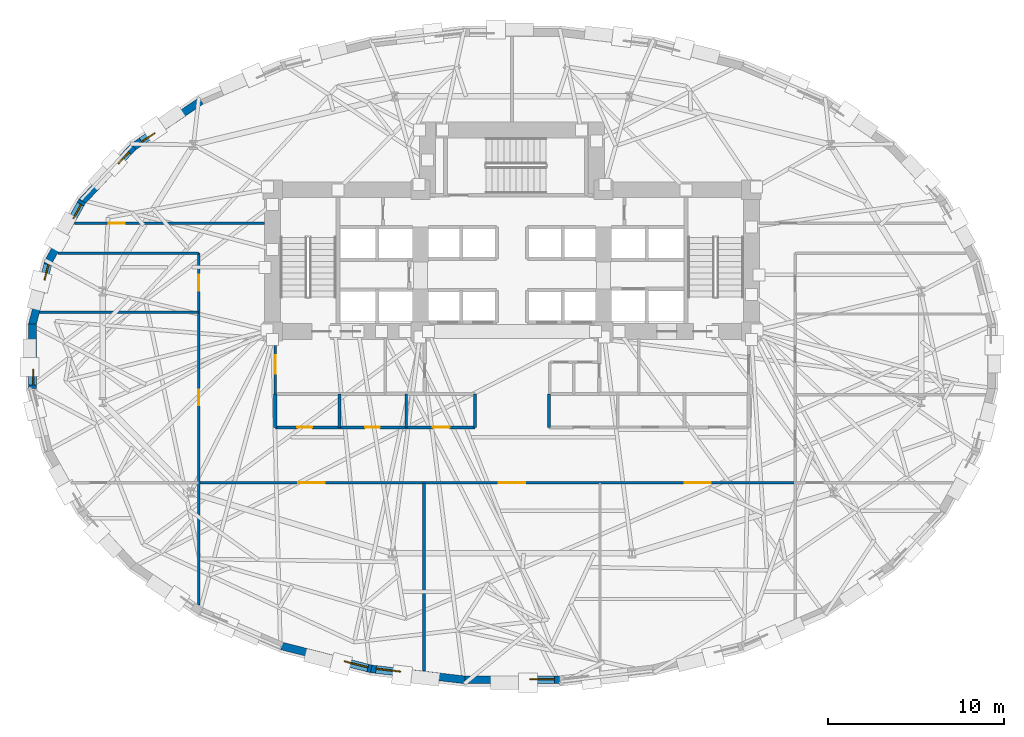
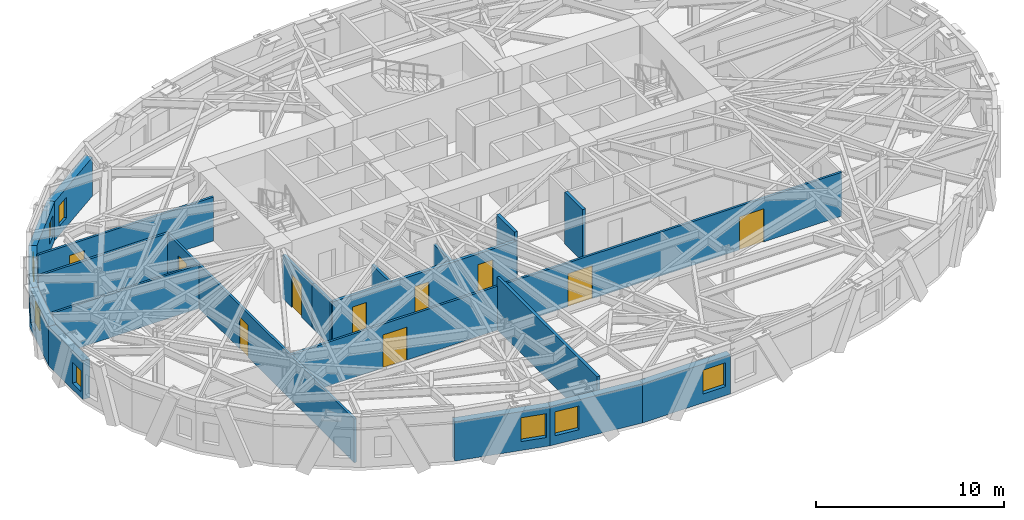
# One storey, part 6 of 14: 21 walls, 10 doors, 8 windows, 18 openings.
"""IFC4 building model written with IfcOpenShell, lengths in metres."""

from ifc_helpers import new_model, si_unit, direction, frame, frame_2d, origin, place, context, subcontext, project, spatial, rectangle, extrude, material, layer, layer_set, type_object, element, fill, save


model = new_model("IFC4")

# Units and contexts
model_context = context("Model", 3, precision=1e-05, world=origin(), true_north=direction((0.0, 1.0)))
body_context = subcontext(model_context, "Body", "Model", "MODEL_VIEW")
ifc_project = project(units=[si_unit("LENGTHUNIT", "METRE"), si_unit("AREAUNIT", "SQUARE_METRE"), si_unit("VOLUMEUNIT", "CUBIC_METRE"), si_unit("PLANEANGLEUNIT", "RADIAN"), si_unit("MASSUNIT", "GRAM", prefix="KILO")], contexts=[model_context])

# Site, building, storey
site_placement = place(None, origin())
site = spatial("IfcSite", under=ifc_project, at=site_placement, CompositionType="ELEMENT")
building_placement = place(site_placement, origin())
building = spatial("IfcBuilding", under=site, at=building_placement, Name="Keldmark Tower", CompositionType="ELEMENT")
storey_placement = place(building_placement, frame((0.0, 0.0, 41.39990234375)))
storey = spatial("IfcBuildingStorey", under=building, at=storey_placement, Name="L10", CompositionType="ELEMENT", Elevation=41.39990234375)

# Wall, openings, doors
ifc_material_1 = material(Name="Acoustic Double-Layer Gypsum Corridor Partition", Category="gypsum")
ifc_layer_1 = layer(ifc_material_1, 0.139892578125)
ifc_layer_set_1 = layer_set([ifc_layer_1], Name="Acoustic Double-Layer Gypsum Corridor Partition")
wall_type_1 = type_object("IfcWallType", Name="Acoustic Corridor Partition 140 mm", PredefinedType="PARTITIONING", material=ifc_layer_set_1)
wall_1_placement = place(storey_placement, frame((-17.800048828125, -7.199951171875, 0.0), z_axis=(0.0, 0.0, 1.0), x_axis=(1.0, 0.0, 0.0)))
wall_1 = element("IfcWall", 1, at=wall_1_placement, inside=storey, type_object=wall_type_1, Name="L10 Acoustic Corridor Partition 140 mm COR-S", PredefinedType="PARTITIONING", context=body_context, shape_type="SweptSolid", body=[
    extrude(rectangle(XDim=33.900146484375, YDim=0.139892578125, at=frame_2d((16.9501953125, 0.0))), origin(), (0.0, 0.0, 1.0), 2.85302734375),
])
opening_1_placement = place(wall_1_placement, frame((5.64990234375, 0.0, 0.0)))
opening_1 = element("IfcOpeningElement", 2, at=opening_1_placement, cuts=wall_1, Name="Opening D-CF150", PredefinedType="OPENING", context=body_context, shape_type="SweptSolid", body=[
    extrude(rectangle(XDim=1.5, YDim=2.14990234375, at=frame_2d((0.75, 1.074951171875))), frame((0.0, 0.079833984375, 0.0), z_axis=(0.0, -1.0, 0.0), x_axis=(1.0, 0.0, 0.0)), (0.0, 0.0, 1.0), 0.159912109375),
])
opening_2_placement = place(wall_1_placement, frame((17.050048828125, 0.0, 0.0)))
opening_2 = element("IfcOpeningElement", 3, at=opening_2_placement, cuts=wall_1, Name="Opening D-CF150", PredefinedType="OPENING", context=body_context, shape_type="SweptSolid", body=[
    extrude(rectangle(XDim=1.5, YDim=2.14990234375, at=frame_2d((0.75, 1.074951171875))), frame((0.0, 0.079833984375, 0.0), z_axis=(0.0, -1.0, 0.0), x_axis=(1.0, 0.0, 0.0)), (0.0, 0.0, 1.0), 0.159912109375),
])
opening_3_placement = place(wall_1_placement, frame((27.60009765625, 0.0, 0.0)))
opening_3 = element("IfcOpeningElement", 4, at=opening_3_placement, cuts=wall_1, Name="Opening D-CF150", PredefinedType="OPENING", context=body_context, shape_type="SweptSolid", body=[
    extrude(rectangle(XDim=1.5, YDim=2.14990234375, at=frame_2d((0.75, 1.074951171875))), frame((0.0, 0.079833984375, 0.0), z_axis=(0.0, -1.0, 0.0), x_axis=(1.0, 0.0, 0.0)), (0.0, 0.0, 1.0), 0.159912109375),
])
ifc_material_2 = material(Name="Acoustic Timber and Tempered Glass Double Door", Category="wood")
door_type_1 = type_object("IfcDoorType", Name="Conference Double Door 1500x2150", OperationType="DOUBLE_DOOR_SINGLE_SWING", PredefinedType="DOOR", material=ifc_material_2)
door_1_placement = place(opening_1_placement, origin())
door_1 = element("IfcDoor", 5, at=door_1_placement, inside=storey, type_object=door_type_1, Name="L10 Conference Double Door 1500x2150 D-SR-1-L10", OperationType="DOUBLE_DOOR_SINGLE_SWING", OverallHeight=2.14990234375, OverallWidth=1.5, PredefinedType="DOOR", context=body_context, shape_type="SweptSolid", body=[
    extrude(rectangle(XDim=1.5, YDim=2.14990234375, at=frame_2d((0.75, 1.074951171875))), frame((0.0, 0.02490234375, 0.0), z_axis=(0.0, -1.0, 0.0), x_axis=(1.0, 0.0, 0.0)), (0.0, 0.0, 1.0), 0.050048828125),
])
fill(opening_1, door_1)
door_2_placement = place(opening_2_placement, origin())
door_2 = element("IfcDoor", 6, at=door_2_placement, inside=storey, type_object=door_type_1, Name="L10 Conference Double Door 1500x2150 D-SR-2-L10", OperationType="DOUBLE_DOOR_SINGLE_SWING", OverallHeight=2.14990234375, OverallWidth=1.5, PredefinedType="DOOR", context=body_context, shape_type="SweptSolid", body=[
    extrude(rectangle(XDim=1.5, YDim=2.14990234375, at=frame_2d((0.75, 1.074951171875))), frame((0.0, 0.02490234375, 0.0), z_axis=(0.0, -1.0, 0.0), x_axis=(1.0, 0.0, 0.0)), (0.0, 0.0, 1.0), 0.050048828125),
])
fill(opening_2, door_2)
door_3_placement = place(opening_3_placement, origin())
door_3 = element("IfcDoor", 7, at=door_3_placement, inside=storey, type_object=door_type_1, Name="L10 Conference Double Door 1500x2150 D-SR-3-L10", OperationType="DOUBLE_DOOR_SINGLE_SWING", OverallHeight=2.14990234375, OverallWidth=1.5, PredefinedType="DOOR", context=body_context, shape_type="SweptSolid", body=[
    extrude(rectangle(XDim=1.5, YDim=2.14990234375, at=frame_2d((0.75, 1.074951171875))), frame((0.0, 0.02490234375, 0.0), z_axis=(0.0, -1.0, 0.0), x_axis=(1.0, 0.0, 0.0)), (0.0, 0.0, 1.0), 0.050048828125),
])
fill(opening_3, door_3)

wall_2_placement = place(storey_placement, frame((-17.800048828125, -14.135498046875, 0.0), z_axis=(0.0, 0.0, 1.0), x_axis=(0.0, 1.0, 0.0)))
wall_2 = element("IfcWall", 8, at=wall_2_placement, inside=storey, type_object=wall_type_1, Name="L10 Acoustic Corridor Partition 140 mm COR-W", PredefinedType="PARTITIONING", context=body_context, shape_type="SweptSolid", body=[
    extrude(rectangle(XDim=19.985595703125, YDim=0.139892578125, at=frame_2d((9.99267578125, 0.0))), origin(), (0.0, 0.0, 1.0), 2.841064453125),
])
opening_4_placement = place(wall_2_placement, frame((11.335693359375, 0.0, 0.0)))
opening_4 = element("IfcOpeningElement", 9, at=opening_4_placement, cuts=wall_2, Name="Opening D-IN090", PredefinedType="OPENING", context=body_context, shape_type="SweptSolid", body=[
    extrude(rectangle(XDim=0.89990234375, YDim=2.10009765625, at=frame_2d((0.449951171875, 1.050048828125))), frame((0.0, 0.079833984375, 0.0), z_axis=(0.0, -1.0, 0.0), x_axis=(1.0, 0.0, 0.0)), (0.0, 0.0, 1.0), 0.159912109375),
])
opening_5_placement = place(wall_2_placement, frame((17.860595703125, 0.0, 0.0)))
opening_5 = element("IfcOpeningElement", 10, at=opening_5_placement, cuts=wall_2, Name="Opening D-IN090", PredefinedType="OPENING", context=body_context, shape_type="SweptSolid", body=[
    extrude(rectangle(XDim=0.89990234375, YDim=2.10009765625, at=frame_2d((0.449951171875, 1.050048828125))), frame((0.0, 0.079833984375, 0.0), z_axis=(0.0, -1.0, 0.0), x_axis=(1.0, 0.0, 0.0)), (0.0, 0.0, 1.0), 0.159912109375),
])
ifc_material_3 = material(Name="Stained American White Oak Veneer", Category="wood")
door_type_2 = type_object("IfcDoorType", Name="Interior Door 900x2100", OperationType="NOTDEFINED", PredefinedType="DOOR", material=ifc_material_3)
door_4_placement = place(opening_4_placement, origin())
door_4 = element("IfcDoor", 11, at=door_4_placement, inside=storey, type_object=door_type_2, Name="L10 Interior Door 900x2100 D-WR-1-L10", OperationType="SINGLE_SWING_LEFT", OverallHeight=2.10009765625, OverallWidth=0.89990234375, PredefinedType="DOOR", context=body_context, shape_type="SweptSolid", body=[
    extrude(rectangle(XDim=0.89990234375, YDim=2.10009765625, at=frame_2d((0.449951171875, 1.050048828125))), frame((0.0, 0.02490234375, 0.0), z_axis=(0.0, -1.0, 0.0), x_axis=(1.0, 0.0, 0.0)), (0.0, 0.0, 1.0), 0.050048828125),
])
fill(opening_4, door_4)
door_5_placement = place(opening_5_placement, origin())
door_5 = element("IfcDoor", 12, at=door_5_placement, inside=storey, type_object=door_type_2, Name="L10 Interior Door 900x2100 D-WR-2-L10", OperationType="SINGLE_SWING_RIGHT", OverallHeight=2.10009765625, OverallWidth=0.89990234375, PredefinedType="DOOR", context=body_context, shape_type="SweptSolid", body=[
    extrude(rectangle(XDim=0.89990234375, YDim=2.10009765625, at=frame_2d((0.449951171875, 1.050048828125))), frame((0.0, 0.02490234375, 0.0), z_axis=(0.0, -1.0, 0.0), x_axis=(1.0, 0.0, 0.0)), (0.0, 0.0, 1.0), 0.050048828125),
])
fill(opening_5, door_5)

# Wall, opening, door
wall_3_placement = place(storey_placement, frame((-24.85595703125, 7.550048828125, 0.0), z_axis=(0.0, 0.0, 1.0), x_axis=(1.0, 0.0, 0.0)))
wall_3 = element("IfcWall", 13, at=wall_3_placement, inside=storey, type_object=wall_type_1, Name="L10 Acoustic Corridor Partition 140 mm COR-WN-CAP", PredefinedType="PARTITIONING", context=body_context, shape_type="SweptSolid", body=[
    extrude(rectangle(XDim=10.805908203125, YDim=0.139892578125, at=frame_2d((5.40283203125, 0.0))), origin(), (0.0, 0.0, 1.0), 2.85302734375),
])
opening_6_placement = place(wall_3_placement, frame((1.939208984375, 0.0, 0.0)))
opening_6 = element("IfcOpeningElement", 14, at=opening_6_placement, cuts=wall_3, Name="Opening D-EX092", PredefinedType="OPENING", context=body_context, shape_type="SweptSolid", body=[
    extrude(rectangle(XDim=0.919921875, YDim=2.14990234375, at=frame_2d((0.4599609375, 1.074951171875))), frame((0.0, 0.079833984375, 0.0), z_axis=(0.0, -1.0, 0.0), x_axis=(1.0, 0.0, 0.0)), (0.0, 0.0, 1.0), 0.159912109375),
])
ifc_material_4 = material(Name="Flush American Ash Executive Office Door", Category="wood")
door_type_3 = type_object("IfcDoorType", Name="Executive Office Door 920x2150", OperationType="NOTDEFINED", PredefinedType="DOOR", material=ifc_material_4)
door_6_placement = place(opening_6_placement, origin())
door_6 = element("IfcDoor", 15, at=door_6_placement, inside=storey, type_object=door_type_3, Name="L10 Executive Office Door 920x2150 D-NRNW-L10", OperationType="SINGLE_SWING_LEFT", OverallHeight=2.14990234375, OverallWidth=0.919921875, PredefinedType="DOOR", context=body_context, shape_type="SweptSolid", body=[
    extrude(rectangle(XDim=0.919921875, YDim=2.14990234375, at=frame_2d((0.4599609375, 1.074951171875))), frame((0.0, 0.02490234375, 0.0), z_axis=(0.0, -1.0, 0.0), x_axis=(1.0, 0.0, 0.0)), (0.0, 0.0, 1.0), 0.050048828125),
])
fill(opening_6, door_6)

# Walls
wall_4_placement = place(storey_placement, frame((-25.8046875, 5.85009765625, 0.0), z_axis=(0.0, 0.0, 1.0), x_axis=(1.0, 0.0, 0.0)))
element("IfcWall", 16, at=wall_4_placement, inside=storey, type_object=wall_type_1, Name="L10 Acoustic Corridor Partition 140 mm COR-WA-S", PredefinedType="PARTITIONING", context=body_context, shape_type="SweptSolid", body=[
    extrude(rectangle(XDim=8.004638671875, YDim=0.139892578125, at=frame_2d((4.00244140625, 0.0))), origin(), (0.0, 0.0, 1.0), 2.85302734375),
])
ifc_material_5 = material(Name="STC-58 Insulated Tenant Demising Gypsum Partition", Category="gypsum")
ifc_layer_2 = layer(ifc_material_5, 0.175048828125)
ifc_layer_set_2 = layer_set([ifc_layer_2], Name="STC-58 Insulated Tenant Demising Gypsum Partition")
wall_type_2 = type_object("IfcWallType", Name="Demising Suite Partition 175 mm", PredefinedType="PARTITIONING", material=ifc_layer_set_2)
wall_5_placement = place(storey_placement, frame((-5.0, -17.890380859375, 0.0), z_axis=(0.0, 0.0, 1.0), x_axis=(0.0, 1.0, 0.0)))
element("IfcWall", 17, at=wall_5_placement, inside=storey, type_object=wall_type_2, Name="L10 Demising Suite Partition 175 mm S-DIV-1", PredefinedType="PARTITIONING", context=body_context, shape_type="SweptSolid", body=[
    extrude(rectangle(XDim=10.6904296875, YDim=0.175048828125, at=frame_2d((5.34521484375, 0.0))), origin(), (0.0, 0.0, 1.0), 3.400146484375),
])

# Wall, openings, doors
ifc_material_6 = material(Name="Heavy Acoustic Plumbing Chase Gypsum Assembly", Category="gypsum")
ifc_layer_3 = layer(ifc_material_6, 0.18994140625)
ifc_layer_set_3 = layer_set([ifc_layer_3], Name="Heavy Acoustic Plumbing Chase Gypsum Assembly")
wall_type_3 = type_object("IfcWallType", Name="Heavy Wet Wall 190 mm", PredefinedType="PLUMBINGWALL", material=ifc_layer_set_3)
wall_6_placement = place(storey_placement, frame((-13.449951171875, -4.050048828125, 0.0), z_axis=(0.0, 0.0, 1.0), x_axis=(1.0, 0.0, 0.0)))
wall_6 = element("IfcWall", 18, at=wall_6_placement, inside=storey, type_object=wall_type_3, Name="L10 Heavy Wet Wall 190 mm SPK-W-S", PredefinedType="PLUMBINGWALL", context=body_context, shape_type="SweptSolid", body=[
    extrude(rectangle(XDim=11.349853515625, YDim=0.18994140625, at=frame_2d((5.6748046875, 0.0))), origin(), (0.0, 0.0, 1.0), 2.85302734375),
])
opening_7_placement = place(wall_6_placement, frame((1.25, 0.0, 0.0)))
opening_7 = element("IfcOpeningElement", 19, at=opening_7_placement, cuts=wall_6, Name="Opening D-WC085", PredefinedType="OPENING", context=body_context, shape_type="SweptSolid", body=[
    extrude(rectangle(XDim=0.85009765625, YDim=2.10009765625, at=frame_2d((0.425048828125, 1.050048828125))), frame((0.0, 0.10498046875, 0.0), z_axis=(0.0, -1.0, 0.0), x_axis=(1.0, 0.0, 0.0)), (0.0, 0.0, 1.0), 0.2099609375),
])
opening_8_placement = place(wall_6_placement, frame((5.10009765625, 0.0, 0.0)))
opening_8 = element("IfcOpeningElement", 20, at=opening_8_placement, cuts=wall_6, Name="Opening D-WC085", PredefinedType="OPENING", context=body_context, shape_type="SweptSolid", body=[
    extrude(rectangle(XDim=0.85009765625, YDim=2.10009765625, at=frame_2d((0.425048828125, 1.050048828125))), frame((0.0, 0.10498046875, 0.0), z_axis=(0.0, -1.0, 0.0), x_axis=(1.0, 0.0, 0.0)), (0.0, 0.0, 1.0), 0.2099609375),
])
opening_9_placement = place(wall_6_placement, frame((8.949951171875, 0.0, 0.0)))
opening_9 = element("IfcOpeningElement", 21, at=opening_9_placement, cuts=wall_6, Name="Opening D-AWC95", PredefinedType="OPENING", context=body_context, shape_type="SweptSolid", body=[
    extrude(rectangle(XDim=0.949951171875, YDim=2.14990234375, at=frame_2d((0.47509765625, 1.074951171875))), frame((0.0, 0.10498046875, 0.0), z_axis=(0.0, -1.0, 0.0), x_axis=(1.0, 0.0, 0.0)), (0.0, 0.0, 1.0), 0.2099609375),
])
ifc_material_7 = material(Name="Painted Solid-Core Architectural Wood", Category="wood")
door_type_4 = type_object("IfcDoorType", Name="Accessible WC Door 950x2150", OperationType="NOTDEFINED", PredefinedType="DOOR", material=ifc_material_7)
door_7_placement = place(opening_9_placement, origin())
door_7 = element("IfcDoor", 22, at=door_7_placement, inside=storey, type_object=door_type_4, Name="L10 Accessible WC Door 950x2150 D-SPKW3-L10", OperationType="SINGLE_SWING_LEFT", OverallHeight=2.14990234375, OverallWidth=0.949951171875, PredefinedType="DOOR", context=body_context, shape_type="SweptSolid", body=[
    extrude(rectangle(XDim=0.949951171875, YDim=2.14990234375, at=frame_2d((0.47509765625, 1.074951171875))), frame((0.0, 0.02490234375, 0.0), z_axis=(0.0, -1.0, 0.0), x_axis=(1.0, 0.0, 0.0)), (0.0, 0.0, 1.0), 0.050048828125),
])
fill(opening_9, door_7)
ifc_material_8 = material(Name="Moisture-Sealed Painted Wood", Category="wood")
door_type_5 = type_object("IfcDoorType", Name="WC Door 850x2100", OperationType="NOTDEFINED", PredefinedType="DOOR", material=ifc_material_8)
door_8_placement = place(opening_7_placement, origin())
door_8 = element("IfcDoor", 23, at=door_8_placement, inside=storey, type_object=door_type_5, Name="L10 WC Door 850x2100 D-SPKW1-L10", OperationType="SINGLE_SWING_LEFT", OverallHeight=2.10009765625, OverallWidth=0.85009765625, PredefinedType="DOOR", context=body_context, shape_type="SweptSolid", body=[
    extrude(rectangle(XDim=0.85009765625, YDim=2.10009765625, at=frame_2d((0.425048828125, 1.050048828125))), frame((0.0, 0.02490234375, 0.0), z_axis=(0.0, -1.0, 0.0), x_axis=(1.0, 0.0, 0.0)), (0.0, 0.0, 1.0), 0.050048828125),
])
fill(opening_7, door_8)
door_9_placement = place(opening_8_placement, origin())
door_9 = element("IfcDoor", 24, at=door_9_placement, inside=storey, type_object=door_type_5, Name="L10 WC Door 850x2100 D-SPKW2-L10", OperationType="SINGLE_SWING_RIGHT", OverallHeight=2.10009765625, OverallWidth=0.85009765625, PredefinedType="DOOR", context=body_context, shape_type="SweptSolid", body=[
    extrude(rectangle(XDim=0.85009765625, YDim=2.10009765625, at=frame_2d((0.425048828125, 1.050048828125))), frame((0.0, 0.02490234375, 0.0), z_axis=(0.0, -1.0, 0.0), x_axis=(1.0, 0.0, 0.0)), (0.0, 0.0, 1.0), 0.050048828125),
])
fill(opening_8, door_9)

# Walls
wall_7_placement = place(storey_placement, frame((-13.449951171875, -4.050048828125, 0.0), z_axis=(0.0, 0.0, 1.0), x_axis=(0.0, 1.0, 0.0)))
element("IfcWall", 25, at=wall_7_placement, inside=storey, type_object=wall_type_3, Name="L10 Heavy Wet Wall 190 mm SPK-W-W", PredefinedType="PLUMBINGWALL", context=body_context, shape_type="SweptSolid", body=[
    extrude(rectangle(XDim=1.900146484375, YDim=0.18994140625, at=frame_2d((0.9501953125, 0.0))), origin(), (0.0, 0.0, 1.0), 2.85302734375),
])
for number, where, z_axis, x_axis, name in (
    (26, (-2.10009765625, -4.050048828125, 0.0), (0.0, 0.0, 1.0), (0.0, 1.0, 0.0), "L10 Heavy Wet Wall 190 mm SPK-W-E"),
    (27, (2.10009765625, -4.050048828125, 0.0), (0.0, 0.0, 1.0), (0.0, 1.0, 0.0), "L10 Heavy Wet Wall 190 mm SPK-E-W"),
):
    element("IfcWall", number, at=place(storey_placement, frame(where, z_axis=z_axis, x_axis=x_axis)), inside=storey, type_object=wall_type_3, Name=name, PredefinedType="PLUMBINGWALL", context=body_context, shape_type="SweptSolid", body=[
        extrude(rectangle(XDim=1.900146484375, YDim=0.18994140625, at=frame_2d((0.9501953125, 0.0))), origin(), (0.0, 0.0, 1.0), 3.400146484375),
    ])
ifc_material_9 = material(Name="Acoustic Gypsum Board Interior Partition", Category="gypsum")
ifc_layer_4 = layer(ifc_material_9, 0.1298828125)
ifc_layer_set_4 = layer_set([ifc_layer_4], Name="Acoustic Gypsum Board Interior Partition")
wall_type_4 = type_object("IfcWallType", Name="Interior Partition 130 mm", PredefinedType="PARTITIONING", material=ifc_layer_set_4)
wall_8_placement = place(storey_placement, frame((-26.83251953125, 2.5, 0.0), z_axis=(0.0, 0.0, 1.0), x_axis=(1.0, 0.0, 0.0)))
element("IfcWall", 28, at=wall_8_placement, inside=storey, type_object=wall_type_4, Name="L10 Interior Partition 130 mm W-DIV-1", PredefinedType="PARTITIONING", context=body_context, shape_type="SweptSolid", body=[
    extrude(rectangle(XDim=9.032470703125, YDim=0.1298828125, at=frame_2d((4.51611328125, 0.0))), origin(), (0.0, 0.0, 1.0), 2.841064453125),
])

# Wall, opening, door
ifc_material_10 = material(Name="Type X Fire-Rated Gypsum Partition Assembly", Category="gypsum")
ifc_layer_5 = layer(ifc_material_10, 0.1650390625)
ifc_layer_set_5 = layer_set([ifc_layer_5], Name="Type X Fire-Rated Gypsum Partition Assembly")
wall_type_5 = type_object("IfcWallType", Name="Rated Partition 165 mm", PredefinedType="PARTITIONING", material=ifc_layer_set_5)
wall_9_placement = place(storey_placement, frame((-13.449951171875, -2.14990234375, 0.0), z_axis=(0.0, 0.0, 1.0), x_axis=(0.0, 1.0, 0.0)))
wall_9 = element("IfcWall", 29, at=wall_9_placement, inside=storey, type_object=wall_type_5, Name="L10 Rated Partition 165 mm FSAE-W-W", PredefinedType="PARTITIONING", context=body_context, shape_type="SweptSolid", body=[
    extrude(rectangle(XDim=3.14990234375, YDim=0.1650390625, at=frame_2d((1.574951171875, 0.0))), origin(), (0.0, 0.0, 1.0), 2.85302734375),
])
opening_10_placement = place(wall_9_placement, frame((1.14990234375, 0.0, 0.0)))
opening_10 = element("IfcOpeningElement", 30, at=opening_10_placement, cuts=wall_9, Name="Opening D-FL105", PredefinedType="OPENING", context=body_context, shape_type="SweptSolid", body=[
    extrude(rectangle(XDim=1.050048828125, YDim=2.14990234375, at=frame_2d((0.52490234375, 1.074951171875))), frame((0.0, 0.092529296875, 0.0), z_axis=(0.0, -1.0, 0.0), x_axis=(1.0, 0.0, 0.0)), (0.0, 0.0, 1.0), 0.18505859375),
])
ifc_material_11 = material(Name="Fire-Rated Mineral-Core Door and Vision Lite", Category="metal")
door_type_6 = type_object("IfcDoorType", Name="Fire Lobby Door 1050x2150", OperationType="NOTDEFINED", PredefinedType="DOOR", material=ifc_material_11)
door_10_placement = place(opening_10_placement, origin())
door_10 = element("IfcDoor", 31, at=door_10_placement, inside=storey, type_object=door_type_6, Name="L10 Fire Lobby Door 1050x2150 D-FSAEW-OUT-L10", OperationType="SINGLE_SWING_LEFT", OverallHeight=2.14990234375, OverallWidth=1.050048828125, PredefinedType="DOOR", context=body_context, shape_type="SweptSolid", body=[
    extrude(rectangle(XDim=1.050048828125, YDim=2.14990234375, at=frame_2d((0.52490234375, 1.074951171875))), frame((0.0, 0.02490234375, 0.0), z_axis=(0.0, -1.0, 0.0), x_axis=(1.0, 0.0, 0.0)), (0.0, 0.0, 1.0), 0.050048828125),
])
fill(opening_10, door_10)

# Wall, opening, window
ifc_material_12 = material(Name="Ironspot Manganese Brick and Kasota Buff Limestone Spandrel Assembly", Category="masonry")
ifc_layer_6 = layer(ifc_material_12, 0.43994140625)
ifc_layer_set_6 = layer_set([ifc_layer_6], Name="Ironspot Manganese Brick and Kasota Buff Limestone Spandrel Assembly")
wall_type_6 = type_object("IfcWallType", Name="Tower Brick Pier and Spandrel Wall 440 mm", PredefinedType="STANDARD", material=ifc_layer_set_6)
wall_10_placement = place(storey_placement, frame((-21.54931640625, 11.8701171875, 0.0), z_axis=(0.0, 0.0, 1.0), x_axis=(0.827825981515, 0.560984976919, 0.0)))
wall_10 = element("IfcWall", 32, at=wall_10_placement, inside=storey, type_object=wall_type_6, Name="L10 Exterior Brick and Spandrel Wall 12", PredefinedType="STANDARD", context=body_context, shape_type="SweptSolid", body=[
    extrude(rectangle(XDim=4.694580078125, YDim=0.43994140625, at=frame_2d((2.34716796875, 0.0))), origin(), (0.0, 0.0, 1.0), 2.529052734375),
])
opening_11_placement = place(wall_10_placement, frame((0.599365234375, 0.0, 0.580078125)))
opening_11 = element("IfcOpeningElement", 33, at=opening_11_placement, cuts=wall_10, Name="Opening W-09", PredefinedType="OPENING", context=body_context, shape_type="SweptSolid", body=[
    extrude(rectangle(XDim=0.89990234375, YDim=1.35009765625, at=frame_2d((0.449951171875, 0.675048828125))), frame((0.0, 0.22998046875, 0.0), z_axis=(0.0, -1.0, 0.0), x_axis=(1.0, 0.0, 0.0)), (0.0, 0.0, 1.0), 0.4599609375),
])
ifc_material_13 = material(Name="Thermally Broken Anodized Aluminum and Triple Low-E Argon Glazing", Category="aluminium")
window_type_1 = type_object("IfcWindowType", Name="Corner Pier Deep-Set Window 900x1350", PartitioningType="SINGLE_PANEL", PredefinedType="WINDOW", material=ifc_material_13)
window_1_placement = place(opening_11_placement, origin())
window_1 = element("IfcWindow", 34, at=window_1_placement, inside=storey, type_object=window_type_1, Name="L10 Deep-Set Window 12", OverallHeight=1.35009765625, OverallWidth=0.89990234375, PartitioningType="SINGLE_PANEL", PredefinedType="WINDOW", context=body_context, shape_type="SweptSolid", body=[
    extrude(rectangle(XDim=0.89990234375, YDim=1.35009765625, at=frame_2d((0.449951171875, 0.675048828125))), frame((0.0, -0.010009765625, 0.0), z_axis=(0.0, -1.0, 0.0), x_axis=(1.0, 0.0, 0.0)), (0.0, 0.0, 1.0), 0.06005859375),
])
fill(opening_11, window_1)

wall_11_placement = place(storey_placement, frame((-24.44775390625, 8.7626953125, 0.0), z_axis=(0.0, 0.0, 1.0), x_axis=(0.68299392258, 0.730424056093, 0.0)))
wall_11 = element("IfcWall", 35, at=wall_11_placement, inside=storey, type_object=wall_type_6, Name="L10 Exterior Brick and Spandrel Wall 13", PredefinedType="STANDARD", context=body_context, shape_type="SweptSolid", body=[
    extrude(rectangle(XDim=4.298095703125, YDim=0.43994140625, at=frame_2d((2.14892578125, 0.0))), origin(), (0.0, 0.0, 1.0), 2.529052734375),
])
opening_12_placement = place(wall_11_placement, frame((2.998291015625, 0.0, 0.580078125)))
opening_12 = element("IfcOpeningElement", 36, at=opening_12_placement, cuts=wall_11, Name="Opening W-09", PredefinedType="OPENING", context=body_context, shape_type="SweptSolid", body=[
    extrude(rectangle(XDim=0.89990234375, YDim=1.35009765625, at=frame_2d((0.449951171875, 0.675048828125))), frame((0.0, 0.22998046875, 0.0), z_axis=(0.0, -1.0, 0.0), x_axis=(1.0, 0.0, 0.0)), (0.0, 0.0, 1.0), 0.4599609375),
])
window_2_placement = place(opening_12_placement, origin())
window_2 = element("IfcWindow", 37, at=window_2_placement, inside=storey, type_object=window_type_1, Name="L10 Deep-Set Window 13", OverallHeight=1.35009765625, OverallWidth=0.89990234375, PartitioningType="SINGLE_PANEL", PredefinedType="WINDOW", context=body_context, shape_type="SweptSolid", body=[
    extrude(rectangle(XDim=0.89990234375, YDim=1.35009765625, at=frame_2d((0.449951171875, 0.675048828125))), frame((0.0, -0.010009765625, 0.0), z_axis=(0.0, -1.0, 0.0), x_axis=(1.0, 0.0, 0.0)), (0.0, 0.0, 1.0), 0.06005859375),
])
fill(opening_12, window_2)

wall_12_placement = place(storey_placement, frame((-26.34619140625, 5.347900390625, 0.0), z_axis=(0.0, 0.0, 1.0), x_axis=(0.487369438963, 0.873195871477, 0.0)))
wall_12 = element("IfcWall", 38, at=wall_12_placement, inside=storey, type_object=wall_type_6, Name="L10 Exterior Brick and Spandrel Wall 14", PredefinedType="STANDARD", context=body_context, shape_type="SweptSolid", body=[
    extrude(rectangle(XDim=3.9599609375, YDim=0.43994140625, at=frame_2d((1.97998046875, 0.0))), origin(), (0.0, 0.0, 1.0), 2.529052734375),
])
opening_13_placement = place(wall_12_placement, frame((2.860107421875, 0.0, 0.919921875)))
opening_13 = element("IfcOpeningElement", 39, at=opening_13_placement, cuts=wall_12, Name="Opening W-09", PredefinedType="OPENING", context=body_context, shape_type="SweptSolid", body=[
    extrude(rectangle(XDim=0.89990234375, YDim=1.35009765625, at=frame_2d((0.449951171875, 0.675048828125))), frame((0.0, 0.22998046875, 0.0), z_axis=(0.0, -1.0, 0.0), x_axis=(1.0, 0.0, 0.0)), (0.0, 0.0, 1.0), 0.4599609375),
])
window_3_placement = place(opening_13_placement, origin())
window_3 = element("IfcWindow", 40, at=window_3_placement, inside=storey, type_object=window_type_1, Name="L10 Deep-Set Window 14", OverallHeight=1.35009765625, OverallWidth=0.89990234375, PartitioningType="SINGLE_PANEL", PredefinedType="WINDOW", context=body_context, shape_type="SweptSolid", body=[
    extrude(rectangle(XDim=0.89990234375, YDim=1.35009765625, at=frame_2d((0.449951171875, 0.675048828125))), frame((0.0, -0.010009765625, 0.0), z_axis=(0.0, -1.0, 0.0), x_axis=(1.0, 0.0, 0.0)), (0.0, 0.0, 1.0), 0.06005859375),
])
fill(opening_13, window_3)

wall_13_placement = place(storey_placement, frame((-27.252685546875, 1.7783203125, 0.0), z_axis=(0.0, 0.0, 1.0), x_axis=(0.248062710061, 0.968743976434, 0.0)))
wall_13 = element("IfcWall", 41, at=wall_13_placement, inside=storey, type_object=wall_type_6, Name="L10 Exterior Brick and Spandrel Wall 15", PredefinedType="STANDARD", context=body_context, shape_type="SweptSolid", body=[
    extrude(rectangle(XDim=3.739013671875, YDim=0.43994140625, at=frame_2d((1.86962890625, 0.0))), origin(), (0.0, 0.0, 1.0), 2.529052734375),
])
opening_14_placement = place(wall_13_placement, frame((2.638916015625, 0.0, 0.419921875)))
opening_14 = element("IfcOpeningElement", 42, at=opening_14_placement, cuts=wall_13, Name="Opening W-09", PredefinedType="OPENING", context=body_context, shape_type="SweptSolid", body=[
    extrude(rectangle(XDim=0.89990234375, YDim=1.35009765625, at=frame_2d((0.449951171875, 0.675048828125))), frame((0.0, 0.22998046875, 0.0), z_axis=(0.0, -1.0, 0.0), x_axis=(1.0, 0.0, 0.0)), (0.0, 0.0, 1.0), 0.4599609375),
])
window_4_placement = place(opening_14_placement, origin())
window_4 = element("IfcWindow", 43, at=window_4_placement, inside=storey, type_object=window_type_1, Name="L10 Deep-Set Window 15", OverallHeight=1.35009765625, OverallWidth=0.89990234375, PartitioningType="SINGLE_PANEL", PredefinedType="WINDOW", context=body_context, shape_type="SweptSolid", body=[
    extrude(rectangle(XDim=0.89990234375, YDim=1.35009765625, at=frame_2d((0.449951171875, 0.675048828125))), frame((0.0, -0.010009765625, 0.0), z_axis=(0.0, -1.0, 0.0), x_axis=(1.0, 0.0, 0.0)), (0.0, 0.0, 1.0), 0.06005859375),
])
fill(opening_14, window_4)

wall_14_placement = place(storey_placement, frame((-27.245849609375, -1.8330078125, 0.0), z_axis=(0.0, 0.0, 1.0), x_axis=(0.0, 1.0, 0.0)))
wall_14 = element("IfcWall", 44, at=wall_14_placement, inside=storey, type_object=wall_type_6, Name="L10 Exterior Brick and Spandrel Wall 16", PredefinedType="STANDARD", context=body_context, shape_type="SweptSolid", body=[
    extrude(rectangle(XDim=3.666015625, YDim=0.43994140625, at=frame_2d((1.8330078125, 0.0))), origin(), (0.0, 0.0, 1.0), 2.529052734375),
])
opening_15_placement = place(wall_14_placement, frame((0.199951171875, 0.0, 0.419921875)))
opening_15 = element("IfcOpeningElement", 45, at=opening_15_placement, cuts=wall_14, Name="Opening W-09", PredefinedType="OPENING", context=body_context, shape_type="SweptSolid", body=[
    extrude(rectangle(XDim=0.89990234375, YDim=1.35009765625, at=frame_2d((0.449951171875, 0.675048828125))), frame((0.0, 0.22998046875, 0.0), z_axis=(0.0, -1.0, 0.0), x_axis=(1.0, 0.0, 0.0)), (0.0, 0.0, 1.0), 0.4599609375),
])
window_5_placement = place(opening_15_placement, origin())
window_5 = element("IfcWindow", 46, at=window_5_placement, inside=storey, type_object=window_type_1, Name="L10 Deep-Set Window 16", OverallHeight=1.35009765625, OverallWidth=0.89990234375, PartitioningType="SINGLE_PANEL", PredefinedType="WINDOW", context=body_context, shape_type="SweptSolid", body=[
    extrude(rectangle(XDim=0.89990234375, YDim=1.35009765625, at=frame_2d((0.449951171875, 0.675048828125))), frame((0.0, -0.010009765625, 0.0), z_axis=(0.0, -1.0, 0.0), x_axis=(1.0, 0.0, 0.0)), (0.0, 0.0, 1.0), 0.06005859375),
])
fill(opening_15, window_5)

wall_15_placement = place(storey_placement, frame((-7.99560546875, -17.76953125, 0.0), z_axis=(0.0, 0.0, 1.0), x_axis=(-0.968705592422, 0.248212560542, 0.0)))
wall_15 = element("IfcWall", 47, at=wall_15_placement, inside=storey, type_object=wall_type_6, Name="L10 Exterior Brick and Spandrel Wall 22", PredefinedType="STANDARD", context=body_context, shape_type="SweptSolid", body=[
    extrude(rectangle(XDim=5.26806640625, YDim=0.43994140625, at=frame_2d((2.634033203125, 0.0))), origin(), (0.0, 0.0, 1.0), 2.529052734375),
])
opening_16_placement = place(wall_15_placement, frame((0.199951171875, 0.0, 0.580078125)))
opening_16 = element("IfcOpeningElement", 48, at=opening_16_placement, cuts=wall_15, Name="Opening W-08", PredefinedType="OPENING", context=body_context, shape_type="SweptSolid", body=[
    extrude(rectangle(XDim=1.39990234375, YDim=1.550048828125, at=frame_2d((0.699951171875, 0.77490234375))), frame((0.0, 0.22998046875, 0.0), z_axis=(0.0, -1.0, 0.0), x_axis=(1.0, 0.0, 0.0)), (0.0, 0.0, 1.0), 0.4599609375),
])
ifc_material_14 = material(Name="Thermally Broken Anodized Aluminum and Triple Low-E Argon Glazing", Category="aluminium")
window_type_2 = type_object("IfcWindowType", Name="Residential Corner Punched Window 1400x1550", PartitioningType="SINGLE_PANEL", PredefinedType="WINDOW", material=ifc_material_14)
window_6_placement = place(opening_16_placement, origin())
window_6 = element("IfcWindow", 49, at=window_6_placement, inside=storey, type_object=window_type_2, Name="L10 Deep-Set Window 22", OverallHeight=1.550048828125, OverallWidth=1.39990234375, PartitioningType="SINGLE_PANEL", PredefinedType="WINDOW", context=body_context, shape_type="SweptSolid", body=[
    extrude(rectangle(XDim=1.39990234375, YDim=1.550048828125, at=frame_2d((0.699951171875, 0.77490234375))), frame((0.0, -0.010009765625, 0.0), z_axis=(0.0, -1.0, 0.0), x_axis=(1.0, 0.0, 0.0)), (0.0, 0.0, 1.0), 0.06005859375),
])
fill(opening_16, window_6)

wall_16_placement = place(storey_placement, frame((-2.679443359375, -18.392578125, 0.0), z_axis=(0.0, 0.0, 1.0), x_axis=(-0.993159890371, 0.116762289112, 0.0)))
wall_16 = element("IfcWall", 50, at=wall_16_placement, inside=storey, type_object=wall_type_6, Name="L10 Exterior Brick and Spandrel Wall 23", PredefinedType="STANDARD", context=body_context, shape_type="SweptSolid", body=[
    extrude(rectangle(XDim=5.382080078125, YDim=0.43994140625, at=frame_2d((2.69091796875, 0.0))), origin(), (0.0, 0.0, 1.0), 2.529052734375),
])
opening_17_placement = place(wall_16_placement, frame((3.682373046875, 0.0, 0.580078125)))
opening_17 = element("IfcOpeningElement", 51, at=opening_17_placement, cuts=wall_16, Name="Opening W-08", PredefinedType="OPENING", context=body_context, shape_type="SweptSolid", body=[
    extrude(rectangle(XDim=1.39990234375, YDim=1.550048828125, at=frame_2d((0.699951171875, 0.77490234375))), frame((0.0, 0.22998046875, 0.0), z_axis=(0.0, -1.0, 0.0), x_axis=(1.0, 0.0, 0.0)), (0.0, 0.0, 1.0), 0.4599609375),
])
window_7_placement = place(opening_17_placement, origin())
window_7 = element("IfcWindow", 52, at=window_7_placement, inside=storey, type_object=window_type_2, Name="L10 Deep-Set Window 23", OverallHeight=1.550048828125, OverallWidth=1.39990234375, PartitioningType="SINGLE_PANEL", PredefinedType="WINDOW", context=body_context, shape_type="SweptSolid", body=[
    extrude(rectangle(XDim=1.39990234375, YDim=1.550048828125, at=frame_2d((0.699951171875, 0.77490234375))), frame((0.0, -0.010009765625, 0.0), z_axis=(0.0, -1.0, 0.0), x_axis=(1.0, 0.0, 0.0)), (0.0, 0.0, 1.0), 0.06005859375),
])
fill(opening_17, window_7)

wall_17_placement = place(storey_placement, frame((2.705078125, -18.39111328125, 0.0), z_axis=(0.0, 0.0, 1.0), x_axis=(-1.0, 0.0, 0.0)))
wall_17 = element("IfcWall", 53, at=wall_17_placement, inside=storey, type_object=wall_type_6, Name="L10 Exterior Brick and Spandrel Wall 24", PredefinedType="STANDARD", context=body_context, shape_type="SweptSolid", body=[
    extrude(rectangle(XDim=5.41015625, YDim=0.43994140625, at=frame_2d((2.705078125, 0.0))), origin(), (0.0, 0.0, 1.0), 2.529052734375),
])
opening_18_placement = place(wall_17_placement, frame((0.298828125, 0.0, 0.580078125)))
opening_18 = element("IfcOpeningElement", 54, at=opening_18_placement, cuts=wall_17, Name="Opening W-08", PredefinedType="OPENING", context=body_context, shape_type="SweptSolid", body=[
    extrude(rectangle(XDim=1.39990234375, YDim=1.550048828125, at=frame_2d((0.699951171875, 0.77490234375))), frame((0.0, 0.22998046875, 0.0), z_axis=(0.0, -1.0, 0.0), x_axis=(1.0, 0.0, 0.0)), (0.0, 0.0, 1.0), 0.4599609375),
])
window_8_placement = place(opening_18_placement, origin())
window_8 = element("IfcWindow", 55, at=window_8_placement, inside=storey, type_object=window_type_2, Name="L10 Deep-Set Window 24", OverallHeight=1.550048828125, OverallWidth=1.39990234375, PartitioningType="SINGLE_PANEL", PredefinedType="WINDOW", context=body_context, shape_type="SweptSolid", body=[
    extrude(rectangle(XDim=1.39990234375, YDim=1.550048828125, at=frame_2d((0.699951171875, 0.77490234375))), frame((0.0, -0.010009765625, 0.0), z_axis=(0.0, -1.0, 0.0), x_axis=(1.0, 0.0, 0.0)), (0.0, 0.0, 1.0), 0.06005859375),
])
fill(opening_18, window_8)

# Walls
ifc_material_15 = material(Name="Moisture-Resistant Gypsum Plumbing Partition", Category="gypsum")
ifc_layer_7 = layer(ifc_material_15, 0.14990234375)
ifc_layer_set_7 = layer_set([ifc_layer_7], Name="Moisture-Resistant Gypsum Plumbing Partition")
wall_type_7 = type_object("IfcWallType", Name="Wet Wall 150 mm", PredefinedType="PLUMBINGWALL", material=ifc_layer_set_7)
wall_18_placement = place(storey_placement, frame((-9.800048828125, -4.050048828125, 0.0), z_axis=(0.0, 0.0, 1.0), x_axis=(0.0, 1.0, 0.0)))
element("IfcWall", 56, at=wall_18_placement, inside=storey, type_object=wall_type_7, Name="L10 Wet Wall 150 mm SPK-W-D1", PredefinedType="PLUMBINGWALL", context=body_context, shape_type="SweptSolid", body=[
    extrude(rectangle(XDim=1.900146484375, YDim=0.14990234375, at=frame_2d((0.9501953125, 0.0))), origin(), (0.0, 0.0, 1.0), 2.85302734375),
])
wall_19_placement = place(storey_placement, frame((-6.0, -4.050048828125, 0.0), z_axis=(0.0, 0.0, 1.0), x_axis=(0.0, 1.0, 0.0)))
element("IfcWall", 57, at=wall_19_placement, inside=storey, type_object=wall_type_7, Name="L10 Wet Wall 150 mm SPK-W-D2", PredefinedType="PLUMBINGWALL", context=body_context, shape_type="SweptSolid", body=[
    extrude(rectangle(XDim=1.900146484375, YDim=0.14990234375, at=frame_2d((0.9501953125, 0.0))), origin(), (0.0, 0.0, 1.0), 2.841064453125),
])

save(model, "model.ifc")
